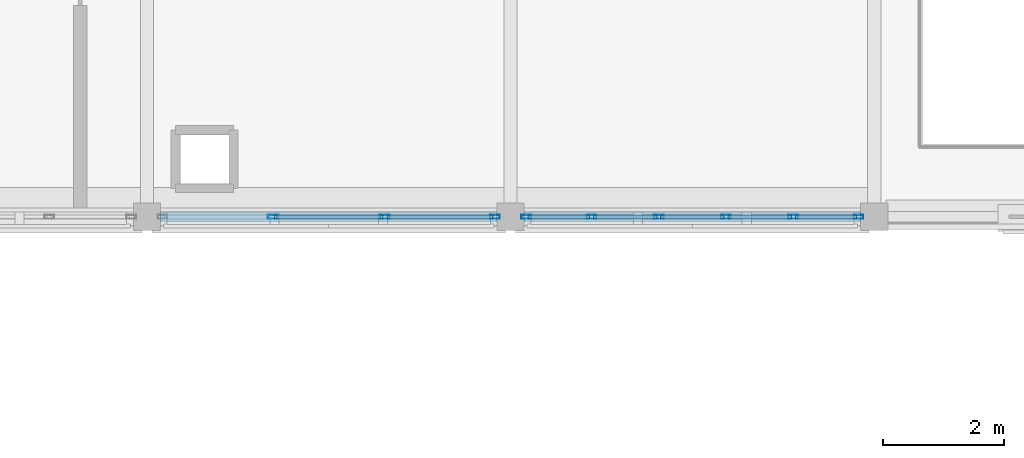
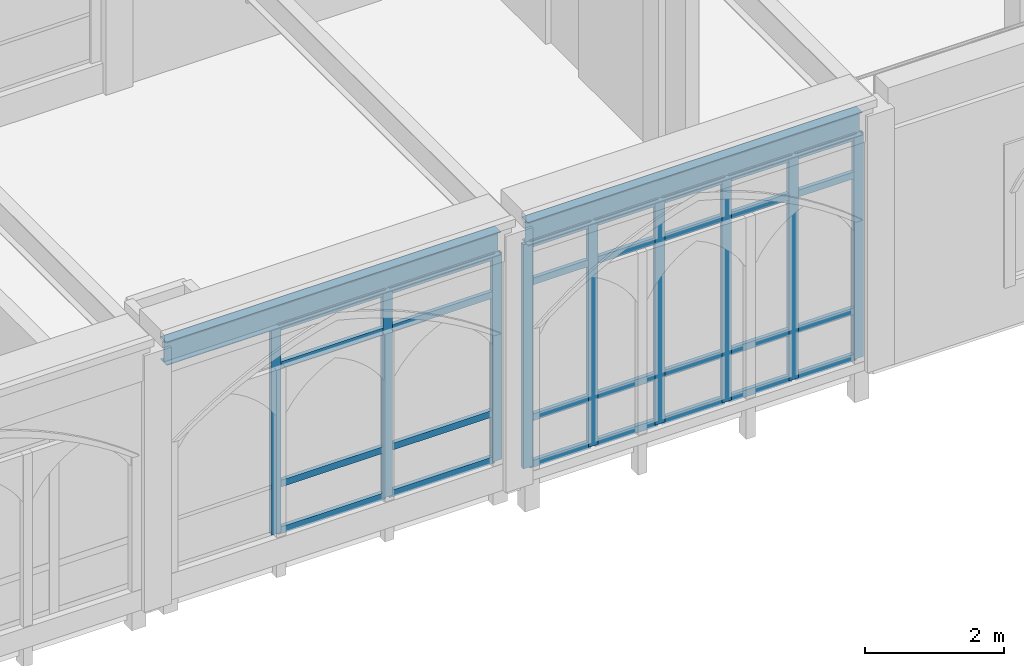
# One storey, part 14 of 59: 37 members, 2 beams, 2 elements without a shape of their own.
"""IFC4 building model written with IfcOpenShell, lengths in metres."""

from ifc_helpers import new_model, si_unit, direction, frame, origin, origin_2d, place, context, subcontext, project, spatial, hollow_rectangle, i_section, extrude, material, layer, layer_set, material_profile, profile_set, type_object, element, aggregate, save


model = new_model("IFC4")

# Units and contexts
model_context = context("Model", 3, precision=1e-05, world=origin(), true_north=direction((0.0, 1.0)))
body_context = subcontext(model_context, "Body", "Model", "MODEL_VIEW")
ifc_project = project(units=[si_unit("LENGTHUNIT", "METRE"), si_unit("AREAUNIT", "SQUARE_METRE"), si_unit("VOLUMEUNIT", "CUBIC_METRE"), si_unit("PLANEANGLEUNIT", "RADIAN"), si_unit("MASSUNIT", "GRAM", prefix="KILO")], contexts=[model_context])

# Site, building, storey
site_placement = place(None, origin())
site = spatial("IfcSite", under=ifc_project, at=site_placement, CompositionType="ELEMENT")
building_placement = place(site_placement, origin())
building = spatial("IfcBuilding", under=site, at=building_placement, Name="Cumevento Cable Car Station", CompositionType="ELEMENT")
storey_placement = place(building_placement, frame((0.0, 0.0, 18.0)))
storey = spatial("IfcBuildingStorey", under=building, at=storey_placement, Name="L05", CompositionType="ELEMENT", Elevation=18.0)

# Curtain wall, members
ifc_material_1 = material(Name="Anodised Bronze Aluminium AW-6063-T6", Category="aluminium")
ifc_layer_1 = layer(ifc_material_1, 0.243896484375)
ifc_layer_set_1 = layer_set([ifc_layer_1], Name="Anodised Bronze Aluminium AW-6063-T6")
curtain_wall_type_1 = type_object("IfcCurtainWallType", Name="Lancet Curtain Wall CW-15 1610", PredefinedType="NOTDEFINED", material=ifc_layer_set_1)
curtain_wall_1_placement = place(storey_placement, origin())
curtain_wall_1 = element("IfcCurtainWall", 1, at=curtain_wall_1_placement, inside=storey, type_object=curtain_wall_type_1, Name="Lancet Curtain Wall CW-15 L05 #206", PredefinedType="NOTDEFINED")
ifc_material_2 = material(Name="Anodised Bronze Aluminium AW-6063-T6", Category="aluminium")
ifc_material_profile_1 = material_profile(ifc_material_2, hollow_rectangle(XDim=0.06494140625, YDim=0.159912109375, WallThickness=0.00390625, at=origin_2d()), Name="ALUM65x160x4")
ifc_profile_set_1 = profile_set([ifc_material_profile_1], Name="Anodised Bronze Aluminium AW-6063-T6")
member_type_1 = type_object("IfcMemberType", Name="Curtain Mullion CWM-01 ALUM65x160x4", PredefinedType="MULLION", material=ifc_profile_set_1)
member_1_placement = place(storey_placement, frame((45.742431640625, 45.0, 0.4599609375), z_axis=(0.0, 0.0, 1.0), x_axis=(0.0, -1.0, 0.0)))
member_1 = element("IfcMember", 2, at=member_1_placement, type_object=member_type_1, Name="CW-15 mullion 1", PredefinedType="MULLION", context=body_context, shape_type="SweptSolid", body=[
    extrude(hollow_rectangle(XDim=0.06494140625, YDim=0.159912109375, WallThickness=0.00390625, at=origin_2d()), origin(), (0.0, 0.0, 1.0), 3.633056640625),
])
member_2_placement = place(storey_placement, frame((43.925048828125, 45.0, 0.4599609375), z_axis=(0.0, 0.0, 1.0), x_axis=(0.0, -1.0, 0.0)))
member_2 = element("IfcMember", 3, at=member_2_placement, type_object=member_type_1, Name="CW-15 mullion 2", PredefinedType="MULLION", context=body_context, shape_type="SweptSolid", body=[
    extrude(hollow_rectangle(XDim=0.06494140625, YDim=0.159912109375, WallThickness=0.00390625, at=origin_2d()), origin(), (0.0, 0.0, 1.0), 3.633056640625),
])
member_3_placement = place(storey_placement, frame((42.074951171875, 45.0, 0.4599609375), z_axis=(0.0, 0.0, 1.0), x_axis=(0.0, -1.0, 0.0)))
member_3 = element("IfcMember", 4, at=member_3_placement, type_object=member_type_1, Name="CW-15 mullion 3", PredefinedType="MULLION", context=body_context, shape_type="SweptSolid", body=[
    extrude(hollow_rectangle(XDim=0.06494140625, YDim=0.159912109375, WallThickness=0.00390625, at=origin_2d()), origin(), (0.0, 0.0, 1.0), 3.633056640625),
])

ifc_material_3 = material(Name="Anodised Bronze Aluminium AW-6063-T6", Category="aluminium")
ifc_layer_2 = layer(ifc_material_3, 0.159912109375)
ifc_layer_set_2 = layer_set([ifc_layer_2], Name="Anodised Bronze Aluminium AW-6063-T6")
curtain_wall_type_2 = type_object("IfcCurtainWallType", Name="Lancet Curtain Wall CW-01 1050", PredefinedType="NOTDEFINED", material=ifc_layer_set_2)
curtain_wall_2_placement = place(storey_placement, origin())
curtain_wall_2 = element("IfcCurtainWall", 5, at=curtain_wall_2_placement, inside=storey, type_object=curtain_wall_type_2, Name="Lancet Curtain Wall CW-01 L05 #208", PredefinedType="NOTDEFINED")
member_4_placement = place(storey_placement, frame((51.742431640625, 45.0, 0.159912109375), z_axis=(0.0, 0.0, 1.0), x_axis=(0.0, -1.0, 0.0)))
member_4 = element("IfcMember", 6, at=member_4_placement, type_object=member_type_1, Name="CW-01 mullion 1", PredefinedType="MULLION", context=body_context, shape_type="SweptSolid", body=[
    extrude(hollow_rectangle(XDim=0.06494140625, YDim=0.159912109375, WallThickness=0.00390625, at=origin_2d()), origin(), (0.0, 0.0, 1.0), 3.93310546875),
])
member_5_placement = place(storey_placement, frame((50.6650390625, 45.0, 0.159912109375), z_axis=(0.0, 0.0, 1.0), x_axis=(0.0, -1.0, 0.0)))
member_5 = element("IfcMember", 7, at=member_5_placement, type_object=member_type_1, Name="CW-01 mullion 2", PredefinedType="MULLION", context=body_context, shape_type="SweptSolid", body=[
    extrude(hollow_rectangle(XDim=0.06494140625, YDim=0.159912109375, WallThickness=0.00390625, at=origin_2d()), origin(), (0.0, 0.0, 1.0), 3.93310546875),
])
member_6_placement = place(storey_placement, frame((49.554931640625, 45.0, 0.159912109375), z_axis=(0.0, 0.0, 1.0), x_axis=(0.0, -1.0, 0.0)))
member_6 = element("IfcMember", 8, at=member_6_placement, type_object=member_type_1, Name="CW-01 mullion 3", PredefinedType="MULLION", context=body_context, shape_type="SweptSolid", body=[
    extrude(hollow_rectangle(XDim=0.06494140625, YDim=0.159912109375, WallThickness=0.00390625, at=origin_2d()), origin(), (0.0, 0.0, 1.0), 3.93310546875),
])
member_7_placement = place(storey_placement, frame((48.445068359375, 45.0, 0.159912109375), z_axis=(0.0, 0.0, 1.0), x_axis=(0.0, -1.0, 0.0)))
member_7 = element("IfcMember", 9, at=member_7_placement, type_object=member_type_1, Name="CW-01 mullion 4", PredefinedType="MULLION", context=body_context, shape_type="SweptSolid", body=[
    extrude(hollow_rectangle(XDim=0.06494140625, YDim=0.159912109375, WallThickness=0.00390625, at=origin_2d()), origin(), (0.0, 0.0, 1.0), 3.93310546875),
])
member_8_placement = place(storey_placement, frame((47.3349609375, 45.0, 0.159912109375), z_axis=(0.0, 0.0, 1.0), x_axis=(0.0, -1.0, 0.0)))
member_8 = element("IfcMember", 10, at=member_8_placement, type_object=member_type_1, Name="CW-01 mullion 5", PredefinedType="MULLION", context=body_context, shape_type="SweptSolid", body=[
    extrude(hollow_rectangle(XDim=0.06494140625, YDim=0.159912109375, WallThickness=0.00390625, at=origin_2d()), origin(), (0.0, 0.0, 1.0), 3.93310546875),
])
member_9_placement = place(storey_placement, frame((46.257568359375, 45.0, 0.159912109375), z_axis=(0.0, 0.0, 1.0), x_axis=(0.0, -1.0, 0.0)))
member_9 = element("IfcMember", 11, at=member_9_placement, type_object=member_type_1, Name="CW-01 mullion 6", PredefinedType="MULLION", context=body_context, shape_type="SweptSolid", body=[
    extrude(hollow_rectangle(XDim=0.06494140625, YDim=0.159912109375, WallThickness=0.00390625, at=origin_2d()), origin(), (0.0, 0.0, 1.0), 3.93310546875),
])

# Member
ifc_material_4 = material(Name="Anodised Bronze Aluminium AW-6063-T6", Category="aluminium")
ifc_material_profile_2 = material_profile(ifc_material_4, hollow_rectangle(XDim=0.06494140625, YDim=0.1201171875, WallThickness=0.00390625, at=origin_2d()), Name="ALUT65x120x4")
ifc_profile_set_2 = profile_set([ifc_material_profile_2], Name="Anodised Bronze Aluminium AW-6063-T6")
member_type_2 = type_object("IfcMemberType", Name="Curtain Transom CWT-01 ALUT65x120x4", PredefinedType="USERDEFINED", material=ifc_profile_set_2)
member_10_placement = place(storey_placement, frame((45.7099609375, 45.0, 0.492431640625), z_axis=(-1.0, 0.0, 0.0), x_axis=(0.0, -1.0, 0.0)))
member_10 = element("IfcMember", 12, at=member_10_placement, type_object=member_type_2, Name="CW-15 transom 1.1", ObjectType="TRANSOM", PredefinedType="USERDEFINED", context=body_context, shape_type="SweptSolid", body=[
    extrude(hollow_rectangle(XDim=0.06494140625, YDim=0.1201171875, WallThickness=0.00390625, at=origin_2d()), origin(), (0.0, 0.0, 1.0), 1.75244140625),
])

member_11_placement = place(storey_placement, frame((45.7099609375, 45.0, 1.31005859375), z_axis=(-1.0, 0.0, 0.0), x_axis=(0.0, -1.0, 0.0)))
member_11 = element("IfcMember", 13, at=member_11_placement, type_object=member_type_2, Name="CW-15 transom 1.2", ObjectType="TRANSOM", PredefinedType="USERDEFINED", context=body_context, shape_type="SweptSolid", body=[
    extrude(hollow_rectangle(XDim=0.06494140625, YDim=0.1201171875, WallThickness=0.00390625, at=origin_2d()), origin(), (0.0, 0.0, 1.0), 1.75244140625),
])

member_12_placement = place(storey_placement, frame((45.7099609375, 45.0, 3.39306640625), z_axis=(-1.0, 0.0, 0.0), x_axis=(0.0, -1.0, 0.0)))
member_12 = element("IfcMember", 14, at=member_12_placement, type_object=member_type_2, Name="CW-15 transom 1.3", ObjectType="TRANSOM", PredefinedType="USERDEFINED", context=body_context, shape_type="SweptSolid", body=[
    extrude(hollow_rectangle(XDim=0.06494140625, YDim=0.1201171875, WallThickness=0.00390625, at=origin_2d()), origin(), (0.0, 0.0, 1.0), 1.75244140625),
])

member_13_placement = place(storey_placement, frame((45.7099609375, 45.0, 4.060546875), z_axis=(-1.0, 0.0, 0.0), x_axis=(0.0, -1.0, 0.0)))
member_13 = element("IfcMember", 15, at=member_13_placement, type_object=member_type_2, Name="CW-15 transom 1.4", ObjectType="TRANSOM", PredefinedType="USERDEFINED", context=body_context, shape_type="SweptSolid", body=[
    extrude(hollow_rectangle(XDim=0.06494140625, YDim=0.1201171875, WallThickness=0.00390625, at=origin_2d()), origin(), (0.0, 0.0, 1.0), 1.75244140625),
])

member_14_placement = place(storey_placement, frame((43.892578125, 45.0, 0.492431640625), z_axis=(-1.0, 0.0, 0.0), x_axis=(0.0, -1.0, 0.0)))
member_14 = element("IfcMember", 16, at=member_14_placement, type_object=member_type_2, Name="CW-15 transom 2.1", ObjectType="TRANSOM", PredefinedType="USERDEFINED", context=body_context, shape_type="SweptSolid", body=[
    extrude(hollow_rectangle(XDim=0.06494140625, YDim=0.1201171875, WallThickness=0.00390625, at=origin_2d()), origin(), (0.0, 0.0, 1.0), 1.78515625),
])

member_15_placement = place(storey_placement, frame((43.892578125, 45.0, 1.31005859375), z_axis=(-1.0, 0.0, 0.0), x_axis=(0.0, -1.0, 0.0)))
member_15 = element("IfcMember", 17, at=member_15_placement, type_object=member_type_2, Name="CW-15 transom 2.2", ObjectType="TRANSOM", PredefinedType="USERDEFINED", context=body_context, shape_type="SweptSolid", body=[
    extrude(hollow_rectangle(XDim=0.06494140625, YDim=0.1201171875, WallThickness=0.00390625, at=origin_2d()), origin(), (0.0, 0.0, 1.0), 1.78515625),
])

member_16_placement = place(storey_placement, frame((43.892578125, 45.0, 3.39306640625), z_axis=(-1.0, 0.0, 0.0), x_axis=(0.0, -1.0, 0.0)))
member_16 = element("IfcMember", 18, at=member_16_placement, type_object=member_type_2, Name="CW-15 transom 2.3", ObjectType="TRANSOM", PredefinedType="USERDEFINED", context=body_context, shape_type="SweptSolid", body=[
    extrude(hollow_rectangle(XDim=0.06494140625, YDim=0.1201171875, WallThickness=0.00390625, at=origin_2d()), origin(), (0.0, 0.0, 1.0), 1.78515625),
])

member_17_placement = place(storey_placement, frame((43.892578125, 45.0, 4.060546875), z_axis=(-1.0, 0.0, 0.0), x_axis=(0.0, -1.0, 0.0)))
member_17 = element("IfcMember", 19, at=member_17_placement, type_object=member_type_2, Name="CW-15 transom 2.4", ObjectType="TRANSOM", PredefinedType="USERDEFINED", context=body_context, shape_type="SweptSolid", body=[
    extrude(hollow_rectangle(XDim=0.06494140625, YDim=0.1201171875, WallThickness=0.00390625, at=origin_2d()), origin(), (0.0, 0.0, 1.0), 1.78515625),
])

aggregate(curtain_wall_1, [member_1, member_2, member_3, member_10, member_11, member_12, member_13, member_14, member_15, member_16, member_17])

member_18_placement = place(storey_placement, frame((51.7099609375, 45.0, 0.1923828125), z_axis=(-1.0, 0.0, 0.0), x_axis=(0.0, -1.0, 0.0)))
member_18 = element("IfcMember", 20, at=member_18_placement, type_object=member_type_2, Name="CW-01 transom 1.1", ObjectType="TRANSOM", PredefinedType="USERDEFINED", context=body_context, shape_type="SweptSolid", body=[
    extrude(hollow_rectangle(XDim=0.06494140625, YDim=0.1201171875, WallThickness=0.00390625, at=origin_2d()), origin(), (0.0, 0.0, 1.0), 1.012451171875),
])

member_19_placement = place(storey_placement, frame((51.7099609375, 45.0, 1.010009765625), z_axis=(-1.0, 0.0, 0.0), x_axis=(0.0, -1.0, 0.0)))
member_19 = element("IfcMember", 21, at=member_19_placement, type_object=member_type_2, Name="CW-01 transom 1.2", ObjectType="TRANSOM", PredefinedType="USERDEFINED", context=body_context, shape_type="SweptSolid", body=[
    extrude(hollow_rectangle(XDim=0.06494140625, YDim=0.1201171875, WallThickness=0.00390625, at=origin_2d()), origin(), (0.0, 0.0, 1.0), 1.012451171875),
])

member_20_placement = place(storey_placement, frame((51.7099609375, 45.0, 3.39306640625), z_axis=(-1.0, 0.0, 0.0), x_axis=(0.0, -1.0, 0.0)))
member_20 = element("IfcMember", 22, at=member_20_placement, type_object=member_type_2, Name="CW-01 transom 1.3", ObjectType="TRANSOM", PredefinedType="USERDEFINED", context=body_context, shape_type="SweptSolid", body=[
    extrude(hollow_rectangle(XDim=0.06494140625, YDim=0.1201171875, WallThickness=0.00390625, at=origin_2d()), origin(), (0.0, 0.0, 1.0), 1.012451171875),
])

member_21_placement = place(storey_placement, frame((51.7099609375, 45.0, 4.060546875), z_axis=(-1.0, 0.0, 0.0), x_axis=(0.0, -1.0, 0.0)))
member_21 = element("IfcMember", 23, at=member_21_placement, type_object=member_type_2, Name="CW-01 transom 1.4", ObjectType="TRANSOM", PredefinedType="USERDEFINED", context=body_context, shape_type="SweptSolid", body=[
    extrude(hollow_rectangle(XDim=0.06494140625, YDim=0.1201171875, WallThickness=0.00390625, at=origin_2d()), origin(), (0.0, 0.0, 1.0), 1.012451171875),
])

member_22_placement = place(storey_placement, frame((50.632568359375, 45.0, 0.1923828125), z_axis=(-1.0, 0.0, 0.0), x_axis=(0.0, -1.0, 0.0)))
member_22 = element("IfcMember", 24, at=member_22_placement, type_object=member_type_2, Name="CW-01 transom 2.1", ObjectType="TRANSOM", PredefinedType="USERDEFINED", context=body_context, shape_type="SweptSolid", body=[
    extrude(hollow_rectangle(XDim=0.06494140625, YDim=0.1201171875, WallThickness=0.00390625, at=origin_2d()), origin(), (0.0, 0.0, 1.0), 1.045166015625),
])

member_23_placement = place(storey_placement, frame((50.632568359375, 45.0, 1.010009765625), z_axis=(-1.0, 0.0, 0.0), x_axis=(0.0, -1.0, 0.0)))
member_23 = element("IfcMember", 25, at=member_23_placement, type_object=member_type_2, Name="CW-01 transom 2.2", ObjectType="TRANSOM", PredefinedType="USERDEFINED", context=body_context, shape_type="SweptSolid", body=[
    extrude(hollow_rectangle(XDim=0.06494140625, YDim=0.1201171875, WallThickness=0.00390625, at=origin_2d()), origin(), (0.0, 0.0, 1.0), 1.045166015625),
])

member_24_placement = place(storey_placement, frame((50.632568359375, 45.0, 3.39306640625), z_axis=(-1.0, 0.0, 0.0), x_axis=(0.0, -1.0, 0.0)))
member_24 = element("IfcMember", 26, at=member_24_placement, type_object=member_type_2, Name="CW-01 transom 2.3", ObjectType="TRANSOM", PredefinedType="USERDEFINED", context=body_context, shape_type="SweptSolid", body=[
    extrude(hollow_rectangle(XDim=0.06494140625, YDim=0.1201171875, WallThickness=0.00390625, at=origin_2d()), origin(), (0.0, 0.0, 1.0), 1.045166015625),
])

member_25_placement = place(storey_placement, frame((50.632568359375, 45.0, 4.060546875), z_axis=(-1.0, 0.0, 0.0), x_axis=(0.0, -1.0, 0.0)))
member_25 = element("IfcMember", 27, at=member_25_placement, type_object=member_type_2, Name="CW-01 transom 2.4", ObjectType="TRANSOM", PredefinedType="USERDEFINED", context=body_context, shape_type="SweptSolid", body=[
    extrude(hollow_rectangle(XDim=0.06494140625, YDim=0.1201171875, WallThickness=0.00390625, at=origin_2d()), origin(), (0.0, 0.0, 1.0), 1.045166015625),
])

member_26_placement = place(storey_placement, frame((49.5224609375, 45.0, 0.1923828125), z_axis=(-1.0, 0.0, 0.0), x_axis=(0.0, -1.0, 0.0)))
member_26 = element("IfcMember", 28, at=member_26_placement, type_object=member_type_2, Name="CW-01 transom 3.1", ObjectType="TRANSOM", PredefinedType="USERDEFINED", context=body_context, shape_type="SweptSolid", body=[
    extrude(hollow_rectangle(XDim=0.06494140625, YDim=0.1201171875, WallThickness=0.00390625, at=origin_2d()), origin(), (0.0, 0.0, 1.0), 1.044921875),
])

member_27_placement = place(storey_placement, frame((49.5224609375, 45.0, 1.010009765625), z_axis=(-1.0, 0.0, 0.0), x_axis=(0.0, -1.0, 0.0)))
member_27 = element("IfcMember", 29, at=member_27_placement, type_object=member_type_2, Name="CW-01 transom 3.2", ObjectType="TRANSOM", PredefinedType="USERDEFINED", context=body_context, shape_type="SweptSolid", body=[
    extrude(hollow_rectangle(XDim=0.06494140625, YDim=0.1201171875, WallThickness=0.00390625, at=origin_2d()), origin(), (0.0, 0.0, 1.0), 1.044921875),
])

member_28_placement = place(storey_placement, frame((49.5224609375, 45.0, 3.39306640625), z_axis=(-1.0, 0.0, 0.0), x_axis=(0.0, -1.0, 0.0)))
member_28 = element("IfcMember", 30, at=member_28_placement, type_object=member_type_2, Name="CW-01 transom 3.3", ObjectType="TRANSOM", PredefinedType="USERDEFINED", context=body_context, shape_type="SweptSolid", body=[
    extrude(hollow_rectangle(XDim=0.06494140625, YDim=0.1201171875, WallThickness=0.00390625, at=origin_2d()), origin(), (0.0, 0.0, 1.0), 1.044921875),
])

member_29_placement = place(storey_placement, frame((49.5224609375, 45.0, 4.060546875), z_axis=(-1.0, 0.0, 0.0), x_axis=(0.0, -1.0, 0.0)))
member_29 = element("IfcMember", 31, at=member_29_placement, type_object=member_type_2, Name="CW-01 transom 3.4", ObjectType="TRANSOM", PredefinedType="USERDEFINED", context=body_context, shape_type="SweptSolid", body=[
    extrude(hollow_rectangle(XDim=0.06494140625, YDim=0.1201171875, WallThickness=0.00390625, at=origin_2d()), origin(), (0.0, 0.0, 1.0), 1.044921875),
])

member_30_placement = place(storey_placement, frame((48.41259765625, 45.0, 0.1923828125), z_axis=(-1.0, 0.0, 0.0), x_axis=(0.0, -1.0, 0.0)))
member_30 = element("IfcMember", 32, at=member_30_placement, type_object=member_type_2, Name="CW-01 transom 4.1", ObjectType="TRANSOM", PredefinedType="USERDEFINED", context=body_context, shape_type="SweptSolid", body=[
    extrude(hollow_rectangle(XDim=0.06494140625, YDim=0.1201171875, WallThickness=0.00390625, at=origin_2d()), origin(), (0.0, 0.0, 1.0), 1.045166015625),
])

member_31_placement = place(storey_placement, frame((48.41259765625, 45.0, 1.010009765625), z_axis=(-1.0, 0.0, 0.0), x_axis=(0.0, -1.0, 0.0)))
member_31 = element("IfcMember", 33, at=member_31_placement, type_object=member_type_2, Name="CW-01 transom 4.2", ObjectType="TRANSOM", PredefinedType="USERDEFINED", context=body_context, shape_type="SweptSolid", body=[
    extrude(hollow_rectangle(XDim=0.06494140625, YDim=0.1201171875, WallThickness=0.00390625, at=origin_2d()), origin(), (0.0, 0.0, 1.0), 1.045166015625),
])

member_32_placement = place(storey_placement, frame((48.41259765625, 45.0, 3.39306640625), z_axis=(-1.0, 0.0, 0.0), x_axis=(0.0, -1.0, 0.0)))
member_32 = element("IfcMember", 34, at=member_32_placement, type_object=member_type_2, Name="CW-01 transom 4.3", ObjectType="TRANSOM", PredefinedType="USERDEFINED", context=body_context, shape_type="SweptSolid", body=[
    extrude(hollow_rectangle(XDim=0.06494140625, YDim=0.1201171875, WallThickness=0.00390625, at=origin_2d()), origin(), (0.0, 0.0, 1.0), 1.045166015625),
])

member_33_placement = place(storey_placement, frame((48.41259765625, 45.0, 4.060546875), z_axis=(-1.0, 0.0, 0.0), x_axis=(0.0, -1.0, 0.0)))
member_33 = element("IfcMember", 35, at=member_33_placement, type_object=member_type_2, Name="CW-01 transom 4.4", ObjectType="TRANSOM", PredefinedType="USERDEFINED", context=body_context, shape_type="SweptSolid", body=[
    extrude(hollow_rectangle(XDim=0.06494140625, YDim=0.1201171875, WallThickness=0.00390625, at=origin_2d()), origin(), (0.0, 0.0, 1.0), 1.045166015625),
])

member_34_placement = place(storey_placement, frame((47.302490234375, 45.0, 0.1923828125), z_axis=(-1.0, 0.0, 0.0), x_axis=(0.0, -1.0, 0.0)))
member_34 = element("IfcMember", 36, at=member_34_placement, type_object=member_type_2, Name="CW-01 transom 5.1", ObjectType="TRANSOM", PredefinedType="USERDEFINED", context=body_context, shape_type="SweptSolid", body=[
    extrude(hollow_rectangle(XDim=0.06494140625, YDim=0.1201171875, WallThickness=0.00390625, at=origin_2d()), origin(), (0.0, 0.0, 1.0), 1.012451171875),
])

member_35_placement = place(storey_placement, frame((47.302490234375, 45.0, 1.010009765625), z_axis=(-1.0, 0.0, 0.0), x_axis=(0.0, -1.0, 0.0)))
member_35 = element("IfcMember", 37, at=member_35_placement, type_object=member_type_2, Name="CW-01 transom 5.2", ObjectType="TRANSOM", PredefinedType="USERDEFINED", context=body_context, shape_type="SweptSolid", body=[
    extrude(hollow_rectangle(XDim=0.06494140625, YDim=0.1201171875, WallThickness=0.00390625, at=origin_2d()), origin(), (0.0, 0.0, 1.0), 1.012451171875),
])

member_36_placement = place(storey_placement, frame((47.302490234375, 45.0, 3.39306640625), z_axis=(-1.0, 0.0, 0.0), x_axis=(0.0, -1.0, 0.0)))
member_36 = element("IfcMember", 38, at=member_36_placement, type_object=member_type_2, Name="CW-01 transom 5.3", ObjectType="TRANSOM", PredefinedType="USERDEFINED", context=body_context, shape_type="SweptSolid", body=[
    extrude(hollow_rectangle(XDim=0.06494140625, YDim=0.1201171875, WallThickness=0.00390625, at=origin_2d()), origin(), (0.0, 0.0, 1.0), 1.012451171875),
])

member_37_placement = place(storey_placement, frame((47.302490234375, 45.0, 4.060546875), z_axis=(-1.0, 0.0, 0.0), x_axis=(0.0, -1.0, 0.0)))
member_37 = element("IfcMember", 39, at=member_37_placement, type_object=member_type_2, Name="CW-01 transom 5.4", ObjectType="TRANSOM", PredefinedType="USERDEFINED", context=body_context, shape_type="SweptSolid", body=[
    extrude(hollow_rectangle(XDim=0.06494140625, YDim=0.1201171875, WallThickness=0.00390625, at=origin_2d()), origin(), (0.0, 0.0, 1.0), 1.012451171875),
])

aggregate(curtain_wall_2, [member_4, member_5, member_6, member_7, member_8, member_9, member_18, member_19, member_20, member_21, member_22, member_23, member_24, member_25, member_26, member_27, member_28, member_29, member_30, member_31, member_32, member_33, member_34, member_35, member_36, member_37])

# Beams
ifc_material_5 = material(Name="Steel ASTM A572 Grade 50", Category="steel")
ifc_material_profile_3 = material_profile(ifc_material_5, i_section(OverallWidth=0.177978515625, OverallDepth=0.406982421875, WebThickness=0.0078125, FlangeThickness=0.0126953125, at=origin_2d()), Name="W410x60.0")
ifc_profile_set_3 = profile_set([ifc_material_profile_3], Name="Steel ASTM A572 Grade 50")
beam_type = type_object("IfcBeamType", Name="Structural Spandrel SP-01 W410x60.0", PredefinedType="SPANDREL", material=ifc_profile_set_3)
for number, where, z_axis, x_axis, name in (
    (40, (40.22509765625, 45.0, 4.29638671875), (1.0, 0.0, 0.0), (0.0, 1.0, 0.0), "Beam SP-01 L05 #1593"),
    (41, (46.22509765625, 45.0, 4.29638671875), (1.0, 0.0, 0.0), (0.0, 1.0, 0.0), "Beam SP-01 L05 #1594"),
):
    element("IfcBeam", number, at=place(storey_placement, frame(where, z_axis=z_axis, x_axis=x_axis)), inside=storey, type_object=beam_type, Name=name, PredefinedType="SPANDREL", context=body_context, shape_type="SweptSolid", body=[
        extrude(i_section(OverallWidth=0.177978515625, OverallDepth=0.406982421875, WebThickness=0.0078125, FlangeThickness=0.0126953125, at=origin_2d()), origin(), (0.0, 0.0, 1.0), 5.5498046875),
    ])

save(model, "model.ifc")
